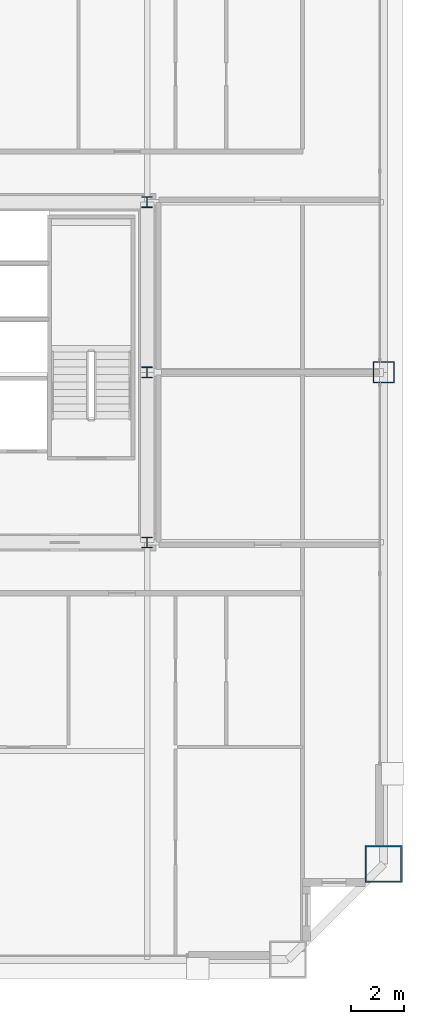
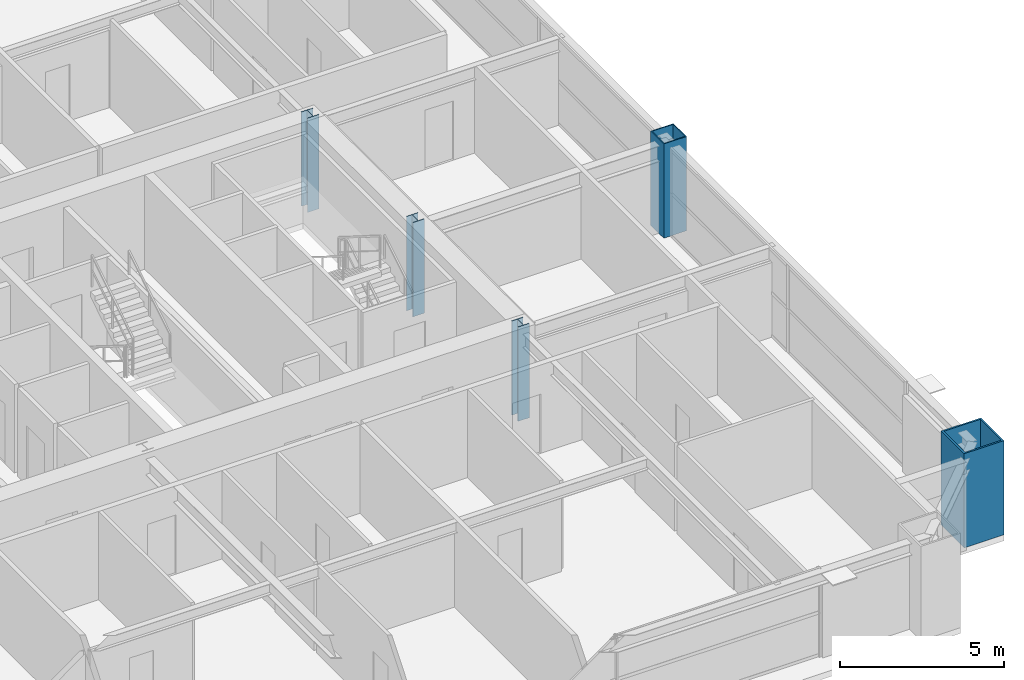
# One storey, part 2 of 38: 5 columns.
"""IFC4 building model written with IfcOpenShell, lengths in metres."""

from ifc_helpers import new_model, si_unit, direction, frame, origin, origin_2d, place, context, subcontext, project, spatial, hollow_rectangle, i_section, extrude, source, transform, mapped, material, material_profile, profile_set, type_object, element, save


model = new_model("IFC4")

# Units and contexts
model_context = context("Model", 3, precision=1e-05, world=origin(), true_north=direction((0.0, 1.0)))
body_context = subcontext(model_context, "Body", "Model", "MODEL_VIEW")
ifc_project = project(units=[si_unit("LENGTHUNIT", "METRE"), si_unit("AREAUNIT", "SQUARE_METRE"), si_unit("VOLUMEUNIT", "CUBIC_METRE"), si_unit("PLANEANGLEUNIT", "RADIAN"), si_unit("MASSUNIT", "GRAM", prefix="KILO"), si_unit("THERMODYNAMICTEMPERATUREUNIT", "KELVIN"), si_unit("POWERUNIT", "WATT")], contexts=[model_context])

# Site, building, storey
site_placement = place(None, origin())
site = spatial("IfcSite", under=ifc_project, at=site_placement, CompositionType="ELEMENT")
building_placement = place(site_placement, origin())
building = spatial("IfcBuilding", under=site, at=building_placement, Name="Yuzanri Waterfront Tower", CompositionType="ELEMENT")
storey_placement = place(building_placement, frame((0.0, 0.0, 202.0)))
storey = spatial("IfcBuildingStorey", under=building, at=storey_placement, Name="L53", CompositionType="ELEMENT", Elevation=202.0)

# Columns
ifc_material_1 = material(Name="Steel Q355B", Category="steel")
ifc_material_profile_1 = material_profile(ifc_material_1, i_section(OverallWidth=0.39990234375, OverallDepth=0.39990234375, WebThickness=0.012939453125, FlangeThickness=0.02099609375, at=origin_2d()), Name="HW 400x400x13x21")
ifc_profile_set_1 = profile_set([ifc_material_profile_1], Name="Steel Q355B")
column_type_1 = type_object("IfcColumnType", Name="Core Post Q355B HW 400x400x13x21", PredefinedType="COLUMN", material=ifc_profile_set_1)
shared_shape_1 = source(origin(), body_context, "Body", "SweptSolid", [
    extrude(i_section(OverallWidth=0.39990234375, OverallDepth=0.39990234375, WebThickness=0.012939453125, FlangeThickness=0.02099609375, at=origin_2d()), origin(), (0.0, 0.0, 1.0), 3.5),
])
for number, where, z_axis, x_axis, name in (
    (1, (50.199951171875, 19.39990234375, 0.0), (0.0, 0.0, 1.0), (1.0, 0.0, 0.0), "L53 Core Boundary Column CP3"),
    (2, (50.199951171875, 25.800048828125, 0.0), (0.0, 0.0, 1.0), (1.0, 0.0, 0.0), "L53 Core Boundary Column CP5"),
    (3, (50.199951171875, 32.199951171875, 0.0), (0.0, 0.0, 1.0), (1.0, 0.0, 0.0), "L53 Core Boundary Column CP8"),
):
    element("IfcColumn", number, at=place(storey_placement, frame(where, z_axis=z_axis, x_axis=x_axis)), inside=storey, type_object=column_type_1, Name=name, PredefinedType="COLUMN", context=body_context, shape_type="MappedRepresentation", body=[
        mapped(shared_shape_1, transform((0.0, 0.0, 0.0), scale=1.0)),
    ])
ifc_material_2 = material(Name="Steel Q420GJC", Category="steel")
ifc_material_profile_2 = material_profile(ifc_material_2, hollow_rectangle(XDim=1.39990234375, YDim=1.39990234375, WallThickness=0.06005859375, at=origin_2d()), Name="RHS 1400x1400x60")
ifc_profile_set_2 = profile_set([ifc_material_profile_2], Name="Steel Q420GJC")
column_type_2 = type_object("IfcColumnType", Name="Mega Column Q420GJC RHS 1400x1400x60", PredefinedType="COLUMN", material=ifc_profile_set_2)
shared_shape_2 = source(origin(), body_context, "Body", "SweptSolid", [
    extrude(hollow_rectangle(XDim=1.39990234375, YDim=1.39990234375, WallThickness=0.06005859375, at=origin_2d()), origin(), (0.0, 0.0, 1.0), 3.5),
])
column_1_placement = place(storey_placement, frame((59.10009765625, 7.300048828125, 0.0), z_axis=(0.0, 0.0, 1.0), x_axis=(1.0, 0.0, 0.0)))
element("IfcColumn", 4, at=column_1_placement, inside=storey, type_object=column_type_2, Name="L53 Perimeter Mega Column E1", PredefinedType="COLUMN", context=body_context, shape_type="MappedRepresentation", body=[
    mapped(shared_shape_2, transform((0.0, 0.0, 0.0), scale=1.0)),
])
ifc_material_3 = material(Name="Steel Q390GJC", Category="steel")
ifc_material_profile_3 = material_profile(ifc_material_3, hollow_rectangle(XDim=0.800048828125, YDim=0.800048828125, WallThickness=0.035888671875, at=origin_2d()), Name="RHS 800x800x36")
ifc_profile_set_3 = profile_set([ifc_material_profile_3], Name="Steel Q390GJC")
column_type_3 = type_object("IfcColumnType", Name="Frame Column Q390GJC RHS 800x800x36", PredefinedType="COLUMN", material=ifc_profile_set_3)
shared_shape_3 = source(origin(), body_context, "Body", "SweptSolid", [
    extrude(hollow_rectangle(XDim=0.800048828125, YDim=0.800048828125, WallThickness=0.035888671875, at=origin_2d()), origin(), (0.0, 0.0, 1.0), 3.5),
])
column_2_placement = place(storey_placement, frame((59.10009765625, 25.800048828125, 0.0), z_axis=(0.0, 0.0, 1.0), x_axis=(1.0, 0.0, 0.0)))
element("IfcColumn", 5, at=column_2_placement, inside=storey, type_object=column_type_3, Name="L53 Perimeter Frame Column E2", PredefinedType="COLUMN", context=body_context, shape_type="MappedRepresentation", body=[
    mapped(shared_shape_3, transform((0.0, 0.0, 0.0), scale=1.0)),
])

save(model, "model.ifc")
